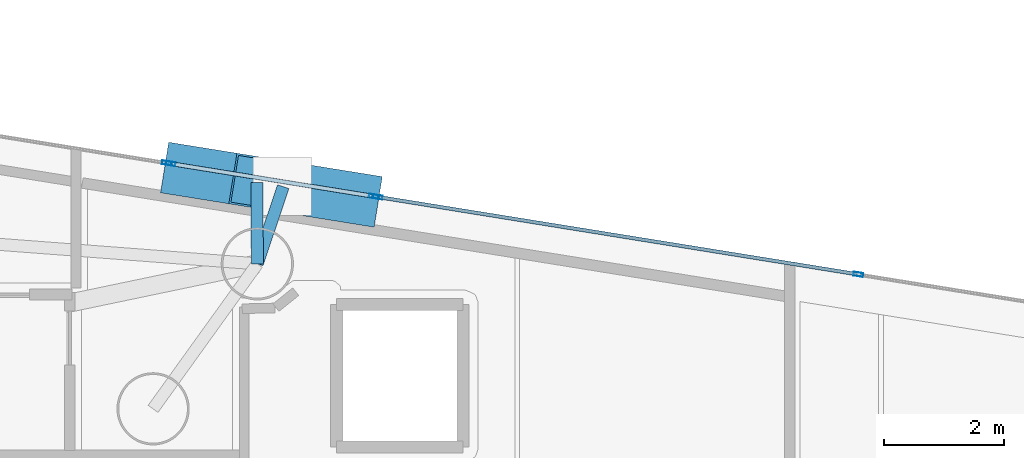
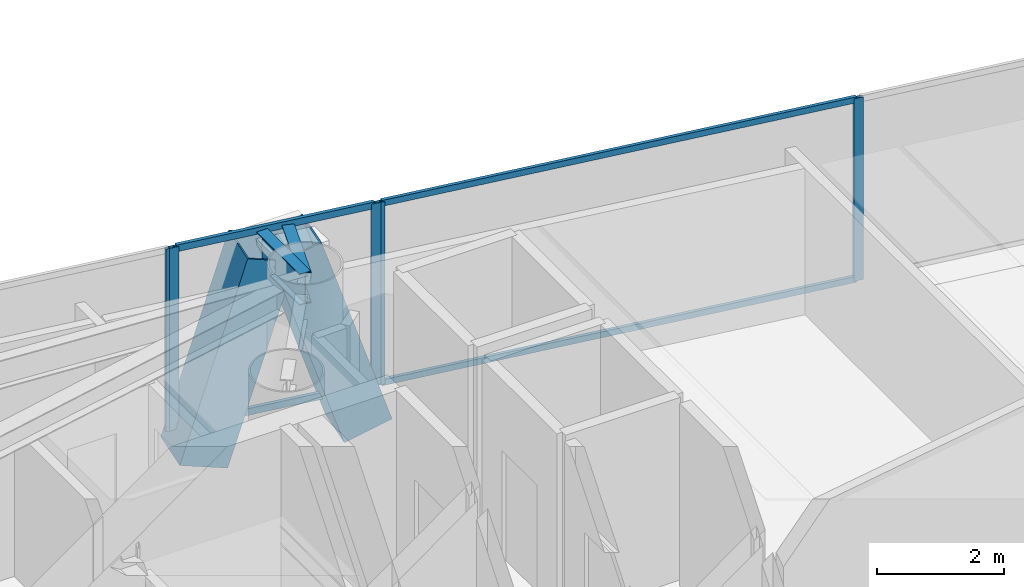
# One storey, part 12 of 21: 11 members, 2 beams, 3 elements without a shape of their own.
"""IFC4 building model written with IfcOpenShell, lengths in metres."""

from ifc_helpers import new_model, si_unit, direction, frame, origin, origin_2d, place, context, subcontext, project, spatial, hollow_rectangle, i_section, extrude, material, layer, layer_set, material_profile, profile_set, type_object, element, aggregate, save


model = new_model("IFC4")

# Units and contexts
model_context = context("Model", 3, precision=1e-05, world=origin(), true_north=direction((0.0, 1.0)))
body_context = subcontext(model_context, "Body", "Model", "MODEL_VIEW")
ifc_project = project(units=[si_unit("LENGTHUNIT", "METRE"), si_unit("AREAUNIT", "SQUARE_METRE"), si_unit("VOLUMEUNIT", "CUBIC_METRE"), si_unit("PLANEANGLEUNIT", "RADIAN"), si_unit("MASSUNIT", "GRAM", prefix="KILO")], contexts=[model_context])

# Site, building, storey
site_placement = place(None, origin())
site = spatial("IfcSite", under=ifc_project, at=site_placement, CompositionType="ELEMENT")
building_placement = place(site_placement, origin())
building = spatial("IfcBuilding", under=site, at=building_placement, Name="Qianvela Tower", CompositionType="ELEMENT")
storey_placement = place(building_placement, frame((0.0, 0.0, 211.39990234375)))
storey = spatial("IfcBuildingStorey", under=building, at=storey_placement, Name="L54", CompositionType="ELEMENT", Elevation=211.39990234375)

# Beams
ifc_material_1 = material(Name="Steel Q355B", Category="steel")
ifc_material_profile_1 = material_profile(ifc_material_1, i_section(OverallWidth=0.199951171875, OverallDepth=0.60009765625, WebThickness=0.010986328125, FlangeThickness=0.01708984375, at=origin_2d()), Name="HN600x200x11x17")
ifc_profile_set_1 = profile_set([ifc_material_profile_1], Name="Steel Q355B")
beam_type = type_object("IfcBeamType", Name="BM-HN600-GIRD", PredefinedType="BEAM", material=ifc_profile_set_1)
for number, where, z_axis, x_axis, name in (
    (1, (40.131103515625, 35.9580078125, 3.218017578125), (0.317527182556, 0.948249169964, 0.0), (-0.948249169964, 0.317527182556, 0.0), "L54 Mega-Brace Column Tie Bracket F1-1"),
    (2, (40.131103515625, 35.9580078125, 3.218017578125), (-0.003610084778, 0.999993483623, 0.0), (-0.999993483623, -0.003610084778, 0.0), "L54 Mega-Brace Column Tie Bracket F1-2"),
):
    element("IfcBeam", number, at=place(storey_placement, frame(where, z_axis=z_axis, x_axis=x_axis)), inside=storey, type_object=beam_type, Name=name, PredefinedType="BEAM", context=body_context, shape_type="SweptSolid", body=[
        extrude(i_section(OverallWidth=0.199951171875, OverallDepth=0.60009765625, WebThickness=0.010986328125, FlangeThickness=0.01708984375, at=origin_2d()), origin(), (0.0, 0.0, 1.0), 1.3525390625),
    ])

# Curtain wall, members
ifc_material_2 = material(Name="Anodised Architectural Aluminium and Insulated Spandrel Panel", Category="aluminium")
ifc_layer_1 = layer(ifc_material_2, 0.179931640625)
ifc_layer_set_1 = layer_set([ifc_layer_1], Name="Anodised Architectural Aluminium and Insulated Spandrel Panel")
curtain_wall_type_1 = type_object("IfcCurtainWallType", Name="CW-BRACEBAY", PredefinedType="USERDEFINED", material=ifc_layer_set_1)
curtain_wall_1_placement = place(storey_placement, origin())
curtain_wall_1 = element("IfcCurtainWall", 3, at=curtain_wall_1_placement, inside=storey, type_object=curtain_wall_type_1, Name="L54 CW-BRACEBAY Curtain Wall 02B", ObjectType="CURTAIN_WALL_SYSTEM", PredefinedType="USERDEFINED")
ifc_material_3 = material(Name="Anodised Architectural Aluminium 6063-T6", Category="aluminium")
ifc_material_profile_2 = material_profile(ifc_material_3, hollow_rectangle(XDim=0.06494140625, YDim=0.159912109375, WallThickness=0.0048828125, at=origin_2d()), Name="ALU-MULL-65x160")
ifc_profile_set_2 = profile_set([ifc_material_profile_2], Name="Anodised Architectural Aluminium 6063-T6")
member_type_1 = type_object("IfcMemberType", Name="CW-BRACEBAY-MULL", PredefinedType="MULLION", material=ifc_profile_set_2)
member_1_placement = place(storey_placement, frame((42.06396484375, 37.079345703125, 0.0), z_axis=(0.0, 0.0, 1.0), x_axis=(-0.159079754044, -0.987265735176, 0.0)))
member_1 = element("IfcMember", 4, at=member_1_placement, type_object=member_type_1, Name="CW-9 mullion 1", PredefinedType="MULLION", context=body_context, shape_type="SweptSolid", body=[
    extrude(hollow_rectangle(XDim=0.06494140625, YDim=0.159912109375, WallThickness=0.0048828125, at=origin_2d()), origin(), (0.0, 0.0, 1.0), 3.52001953125),
])
member_2_placement = place(storey_placement, frame((38.6923828125, 37.62255859375, 0.0), z_axis=(0.0, 0.0, 1.0), x_axis=(-0.159079754044, -0.987265735176, 0.0)))
member_2 = element("IfcMember", 5, at=member_2_placement, type_object=member_type_1, Name="CW-9 mullion 2", PredefinedType="MULLION", context=body_context, shape_type="SweptSolid", body=[
    extrude(hollow_rectangle(XDim=0.06494140625, YDim=0.159912109375, WallThickness=0.0048828125, at=origin_2d()), origin(), (0.0, 0.0, 1.0), 3.52001953125),
])
ifc_material_4 = material(Name="Anodised Architectural Aluminium 6063-T6", Category="aluminium")
ifc_material_profile_3 = material_profile(ifc_material_4, hollow_rectangle(XDim=0.06494140625, YDim=0.1298828125, WallThickness=0.00439453125, at=origin_2d()), Name="ALU-TRAN-65x130")
ifc_profile_set_3 = profile_set([ifc_material_profile_3], Name="Anodised Architectural Aluminium 6063-T6")
member_type_2 = type_object("IfcMemberType", Name="CW-BRACEBAY-TRAN", PredefinedType="USERDEFINED", material=ifc_profile_set_3)
member_3_placement = place(storey_placement, frame((42.031982421875, 37.08447265625, 0.03271484375), z_axis=(-0.987264023123, 0.159090378864, 0.0), x_axis=(-0.159090378864, -0.987264023123, 0.0)))
member_3 = element("IfcMember", 6, at=member_3_placement, type_object=member_type_2, Name="CW-9 transom 1.1", ObjectType="TRANSOM", PredefinedType="USERDEFINED", context=body_context, shape_type="SweptSolid", body=[
    extrude(hollow_rectangle(XDim=0.06494140625, YDim=0.1298828125, WallThickness=0.00439453125, at=origin_2d()), origin(), (0.0, 0.0, 1.0), 3.35009765625),
])
member_4_placement = place(storey_placement, frame((42.031982421875, 37.08447265625, 3.487548828125), z_axis=(-0.987264023123, 0.159090378864, 0.0), x_axis=(-0.159090378864, -0.987264023123, 0.0)))
member_4 = element("IfcMember", 7, at=member_4_placement, type_object=member_type_2, Name="CW-9 transom 1.2", ObjectType="TRANSOM", PredefinedType="USERDEFINED", context=body_context, shape_type="SweptSolid", body=[
    extrude(hollow_rectangle(XDim=0.06494140625, YDim=0.1298828125, WallThickness=0.00439453125, at=origin_2d()), origin(), (0.0, 0.0, 1.0), 3.35009765625),
])
aggregate(curtain_wall_1, [member_1, member_2, member_3, member_4])

ifc_material_5 = material(Name="Anodised Architectural Aluminium and Low-E Glass", Category="aluminium")
ifc_layer_2 = layer(ifc_material_5, 0.159912109375)
ifc_layer_set_2 = layer_set([ifc_layer_2], Name="Anodised Architectural Aluminium and Low-E Glass")
curtain_wall_type_2 = type_object("IfcCurtainWallType", Name="CW-COLIV-Z56", PredefinedType="USERDEFINED", material=ifc_layer_set_2)
curtain_wall_2_placement = place(storey_placement, origin())
curtain_wall_2 = element("IfcCurtainWall", 8, at=curtain_wall_2_placement, inside=storey, type_object=curtain_wall_type_2, Name="L54 CW-COLIV-Z56 Curtain Wall 02A", ObjectType="CURTAIN_WALL_SYSTEM", PredefinedType="USERDEFINED")
ifc_material_6 = material(Name="Anodised Architectural Aluminium 6063-T6", Category="aluminium")
ifc_material_profile_4 = material_profile(ifc_material_6, hollow_rectangle(XDim=0.06494140625, YDim=0.159912109375, WallThickness=0.0048828125, at=origin_2d()), Name="ALU-MULL-65x160")
ifc_profile_set_4 = profile_set([ifc_material_profile_4], Name="Anodised Architectural Aluminium 6063-T6")
member_type_3 = type_object("IfcMemberType", Name="CW-COLIV-Z56-MULL", PredefinedType="MULLION", material=ifc_profile_set_4)
member_5_placement = place(storey_placement, frame((50.11279296875, 35.782470703125, 0.0), z_axis=(0.0, 0.0, 1.0), x_axis=(-0.159070395739, -0.98726724305, 0.0)))
member_5 = element("IfcMember", 9, at=member_5_placement, type_object=member_type_3, Name="CW-5 mullion 2", PredefinedType="MULLION", context=body_context, shape_type="SweptSolid", body=[
    extrude(hollow_rectangle(XDim=0.06494140625, YDim=0.159912109375, WallThickness=0.0048828125, at=origin_2d()), origin(), (0.0, 0.0, 1.0), 3.52001953125),
])
member_6_placement = place(storey_placement, frame((42.128173828125, 37.069091796875, 0.0), z_axis=(0.0, 0.0, 1.0), x_axis=(-0.159070395739, -0.98726724305, 0.0)))
member_6 = element("IfcMember", 10, at=member_6_placement, type_object=member_type_3, Name="CW-5 mullion 3", PredefinedType="MULLION", context=body_context, shape_type="SweptSolid", body=[
    extrude(hollow_rectangle(XDim=0.06494140625, YDim=0.159912109375, WallThickness=0.0048828125, at=origin_2d()), origin(), (0.0, 0.0, 1.0), 3.52001953125),
])

# Curtain wall, member
curtain_wall_3_placement = place(storey_placement, origin())
curtain_wall_3 = element("IfcCurtainWall", 11, at=curtain_wall_3_placement, inside=storey, type_object=curtain_wall_type_2, Name="L54 CW-COLIV-Z56 Curtain Wall 02C", ObjectType="CURTAIN_WALL_SYSTEM", PredefinedType="USERDEFINED")
member_7_placement = place(storey_placement, frame((38.62841796875, 37.633056640625, 0.0), z_axis=(0.0, 0.0, 1.0), x_axis=(-0.159067653846, -0.987267684825, 0.0)))
member_7 = element("IfcMember", 12, at=member_7_placement, type_object=member_type_3, Name="CW-5 mullion 1", PredefinedType="MULLION", context=body_context, shape_type="SweptSolid", body=[
    extrude(hollow_rectangle(XDim=0.06494140625, YDim=0.159912109375, WallThickness=0.0048828125, at=origin_2d()), origin(), (0.0, 0.0, 1.0), 3.52001953125),
])
aggregate(curtain_wall_3, [member_7])

# Member
ifc_material_7 = material(Name="Anodised Architectural Aluminium 6063-T6", Category="aluminium")
ifc_material_profile_5 = material_profile(ifc_material_7, hollow_rectangle(XDim=0.06005859375, YDim=0.114990234375, WallThickness=0.00390625, at=origin_2d()), Name="ALU-TRAN-60x115")
ifc_profile_set_5 = profile_set([ifc_material_profile_5], Name="Anodised Architectural Aluminium 6063-T6")
member_type_4 = type_object("IfcMemberType", Name="CW-COLIV-Z56-TRAN", PredefinedType="USERDEFINED", material=ifc_profile_set_5)
member_8_placement = place(storey_placement, frame((50.08056640625, 35.787841796875, 0.030029296875), z_axis=(-0.987267804088, 0.159066913629, 0.0), x_axis=(-0.159066913629, -0.987267804088, 0.0)))
member_8 = element("IfcMember", 13, at=member_8_placement, type_object=member_type_4, Name="CW-5 transom 2.1", ObjectType="TRANSOM", PredefinedType="USERDEFINED", context=body_context, shape_type="SweptSolid", body=[
    extrude(hollow_rectangle(XDim=0.06005859375, YDim=0.114990234375, WallThickness=0.00390625, at=origin_2d()), origin(), (0.0, 0.0, 1.0), 8.0224609375),
])

member_9_placement = place(storey_placement, frame((50.08056640625, 35.787841796875, 3.489990234375), z_axis=(-0.987267804088, 0.159066913629, 0.0), x_axis=(-0.159066913629, -0.987267804088, 0.0)))
member_9 = element("IfcMember", 14, at=member_9_placement, type_object=member_type_4, Name="CW-5 transom 2.2", ObjectType="TRANSOM", PredefinedType="USERDEFINED", context=body_context, shape_type="SweptSolid", body=[
    extrude(hollow_rectangle(XDim=0.06005859375, YDim=0.114990234375, WallThickness=0.00390625, at=origin_2d()), origin(), (0.0, 0.0, 1.0), 8.0224609375),
])

aggregate(curtain_wall_2, [member_5, member_6, member_8, member_9])

# Members
ifc_material_8 = material(Name="Steel Q420GJC", Category="steel")
ifc_material_profile_6 = material_profile(ifc_material_8, hollow_rectangle(XDim=0.85009765625, YDim=0.85009765625, WallThickness=0.031982421875, at=origin_2d()), Name="MBOX-850x850x32")
ifc_profile_set_6 = profile_set([ifc_material_profile_6], Name="Steel Q420GJC")
member_type_5 = type_object("IfcMemberType", Name="MBR-MBRACE-850", PredefinedType="BRACE", material=ifc_profile_set_6)
member_10_placement = place(storey_placement, frame((41.739013671875, 37.05078125, -0.48193359375), z_axis=(-0.303125019708, 0.048793896895, 0.951700781786), x_axis=(-0.15892376146, -0.987290857875, 0.0)))
element("IfcMember", 15, at=member_10_placement, inside=storey, type_object=member_type_5, Name="L54 Tier 9 Exterior Mega-Brace F1A", PredefinedType="BRACE", context=body_context, shape_type="SweptSolid", body=[
    extrude(hollow_rectangle(XDim=0.85009765625, YDim=0.85009765625, WallThickness=0.031982421875, at=origin_2d()), origin(), (0.0, 0.0, 1.0), 3.8876953125),
])
member_11_placement = place(storey_placement, frame((38.99267578125, 37.4931640625, -0.48193359375), z_axis=(0.292602883283, -0.047139124854, 0.955071440052), x_axis=(0.159051932552, 0.987270217697, 0.0)))
element("IfcMember", 16, at=member_11_placement, inside=storey, type_object=member_type_5, Name="L54 Tier 9 Exterior Mega-Brace F1B", PredefinedType="BRACE", context=body_context, shape_type="SweptSolid", body=[
    extrude(hollow_rectangle(XDim=0.85009765625, YDim=0.85009765625, WallThickness=0.031982421875, at=origin_2d()), origin(), (0.0, 0.0, 1.0), 3.8740234375),
])

save(model, "model.ifc")
